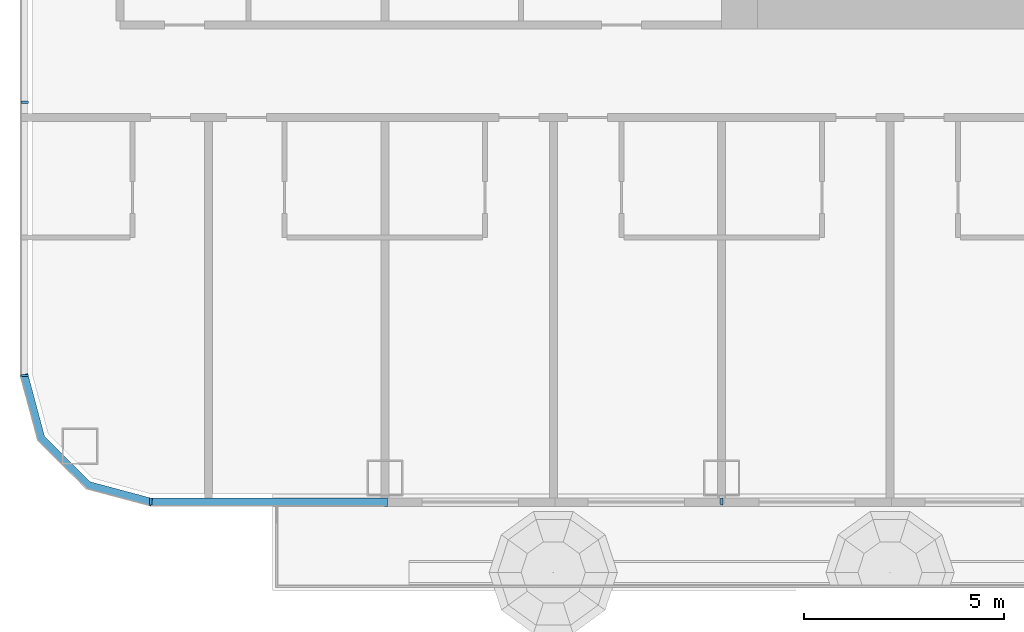
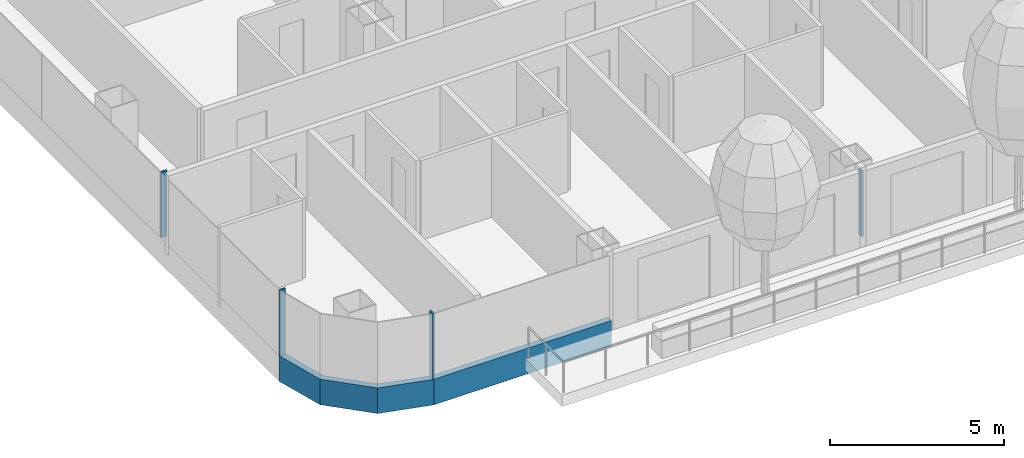
# One storey, part 2 of 37: 6 members, 3 elements without a shape of their own.
"""IFC4 building model written with IfcOpenShell, lengths in metres."""

from ifc_helpers import new_model, si_unit, direction, frame, origin, origin_2d, place, context, subcontext, project, spatial, polyline, rectangle, outline, extrude, material, layer, layer_set, material_profile, profile_set, type_object, element, aggregate, save


model = new_model("IFC4")

# Units and contexts
model_context = context("Model", 3, precision=1e-05, world=origin(), true_north=direction((0.0, 1.0)))
body_context = subcontext(model_context, "Body", "Model", "MODEL_VIEW")
ifc_project = project(units=[si_unit("LENGTHUNIT", "METRE"), si_unit("AREAUNIT", "SQUARE_METRE"), si_unit("VOLUMEUNIT", "CUBIC_METRE"), si_unit("PLANEANGLEUNIT", "RADIAN"), si_unit("MASSUNIT", "GRAM", prefix="KILO")], contexts=[model_context])

# Site, building, storey
site_placement = place(None, origin())
site = spatial("IfcSite", under=ifc_project, at=site_placement, CompositionType="ELEMENT")
building_placement = place(site_placement, origin())
building = spatial("IfcBuilding", under=site, at=building_placement, Name="Hakoniwa Tower and Hamabe Station Hall", CompositionType="ELEMENT")
storey_placement = place(building_placement, frame((0.0, 0.0, 39.0)))
storey = spatial("IfcBuildingStorey", under=building, at=storey_placement, Name="L10", CompositionType="ELEMENT", Elevation=39.0)

# Curtain wall, member
ifc_material_1 = material(Name="Dark low-e laminated glass", Category="glass")
ifc_layer = layer(ifc_material_1, 0.199951171875)
ifc_layer_set = layer_set([ifc_layer], Name="CW-1 UNITISED GUEST")
curtain_wall_type = type_object("IfcCurtainWallType", Name="CW-1 UNITISED GUEST", PredefinedType="NOTDEFINED", material=ifc_layer_set)
curtain_wall_1_placement = place(storey_placement, origin())
curtain_wall_1 = element("IfcCurtainWall", 1, at=curtain_wall_1_placement, inside=storey, type_object=curtain_wall_type, Name="CW-1 curtain wall", PredefinedType="NOTDEFINED")
ifc_material_2 = material(Name="Aluminium 6063-T5 black anodised", Category="aluminium")
ifc_material_profile_1 = material_profile(ifc_material_2, rectangle(XDim=0.199951171875, YDim=0.89990234375, at=origin_2d()), Name="CW SLAB-EDGE BAND 900X200")
ifc_profile_set_1 = profile_set([ifc_material_profile_1], Name="Aluminium 6063-T5 black anodised")
member_type_1 = type_object("IfcMemberType", Name="CW SLAB-EDGE BAND 900X200", PredefinedType="USERDEFINED", material=ifc_profile_set_1)
member_1_placement = place(storey_placement, frame((0.0, 0.0, -0.550048828125)))
member_1 = element("IfcMember", 2, at=member_1_placement, type_object=member_type_1, Name="CW-1 transom", ObjectType="TRANSOM", PredefinedType="USERDEFINED", context=body_context, shape_type="SweptSolid", body=[
    extrude(outline(polyline([(-51.10009765625, -17.03955078125), (-50.6669921875, -18.6552734375), (-49.455322265625, -19.866943359375), (-47.839599609375, -20.300048828125), (-47.787841796875, -20.10693359375), (-49.351806640625, -19.687744140625), (-50.48779296875, -18.5517578125), (-50.90673828125, -16.98779296875), (-51.10009765625, -17.03955078125)])), origin(), (0.0, 0.0, 1.0), 0.900146484375),
])
aggregate(curtain_wall_1, [member_1])

curtain_wall_2_placement = place(storey_placement, origin())
curtain_wall_2 = element("IfcCurtainWall", 3, at=curtain_wall_2_placement, inside=storey, type_object=curtain_wall_type, Name="CW-1 curtain wall", PredefinedType="NOTDEFINED")
member_2_placement = place(storey_placement, frame((-47.839599609375, -20.199951171875, -0.10009765625), z_axis=(1.0, 0.0, 0.0), x_axis=(0.0, 1.0, 0.0)))
member_2 = element("IfcMember", 4, at=member_2_placement, type_object=member_type_1, Name="CW-1 transom", ObjectType="TRANSOM", PredefinedType="USERDEFINED", context=body_context, shape_type="SweptSolid", body=[
    extrude(rectangle(XDim=0.199951171875, YDim=0.89990234375, at=origin_2d()), origin(), (0.0, 0.0, 1.0), 5.899658203125),
])

# Curtain wall, members
curtain_wall_3_placement = place(storey_placement, origin())
curtain_wall_3 = element("IfcCurtainWall", 5, at=curtain_wall_3_placement, inside=storey, type_object=curtain_wall_type, Name="CW-1 curtain wall", PredefinedType="NOTDEFINED")
ifc_material_3 = material(Name="Aluminium 6063-T5 black anodised", Category="aluminium")
ifc_material_profile_2 = material_profile(ifc_material_3, rectangle(XDim=0.06005859375, YDim=0.179931640625, at=origin_2d()), Name="CW-1 MULLION 60X180")
ifc_profile_set_2 = profile_set([ifc_material_profile_2], Name="Aluminium 6063-T5 black anodised")
member_type_2 = type_object("IfcMemberType", Name="CW-1 MULLION 60X180", PredefinedType="MULLION", material=ifc_profile_set_2)
member_3_placement = place(storey_placement, frame((-50.98193359375, -10.2236328125, 0.35009765625), z_axis=(0.0, 0.0, 1.0), x_axis=(0.0, -1.0, 0.0)))
member_3 = element("IfcMember", 6, at=member_3_placement, type_object=member_type_2, Name="CW-1 mullion", PredefinedType="MULLION", context=body_context, shape_type="SweptSolid", body=[
    extrude(rectangle(XDim=0.06005859375, YDim=0.179931640625, at=origin_2d()), origin(), (0.0, 0.0, 1.0), 2.2998046875),
])
member_4_placement = place(storey_placement, frame((-50.98193359375, -17.03955078125, 0.35009765625), z_axis=(0.0, 0.0, 1.0), x_axis=(0.0, -1.0, 0.0)))
member_4 = element("IfcMember", 7, at=member_4_placement, type_object=member_type_2, Name="CW-1 mullion", PredefinedType="MULLION", context=body_context, shape_type="SweptSolid", body=[
    extrude(rectangle(XDim=0.06005859375, YDim=0.179931640625, at=origin_2d()), origin(), (0.0, 0.0, 1.0), 2.2998046875),
])
aggregate(curtain_wall_3, [member_3, member_4])

# Member
member_5_placement = place(storey_placement, frame((-47.839599609375, -20.181884765625, 0.35009765625), z_axis=(0.0, 0.0, 1.0), x_axis=(1.0, 0.0, 0.0)))
member_5 = element("IfcMember", 8, at=member_5_placement, type_object=member_type_2, Name="CW-1 mullion", PredefinedType="MULLION", context=body_context, shape_type="SweptSolid", body=[
    extrude(rectangle(XDim=0.06005859375, YDim=0.179931640625, at=origin_2d()), origin(), (0.0, 0.0, 1.0), 2.2998046875),
])

member_6_placement = place(storey_placement, frame((-33.60009765625, -20.181884765625, 0.35009765625), z_axis=(0.0, 0.0, 1.0), x_axis=(1.0, 0.0, 0.0)))
member_6 = element("IfcMember", 9, at=member_6_placement, type_object=member_type_2, Name="CW-1 mullion", PredefinedType="MULLION", context=body_context, shape_type="SweptSolid", body=[
    extrude(rectangle(XDim=0.06005859375, YDim=0.179931640625, at=origin_2d()), origin(), (0.0, 0.0, 1.0), 2.2998046875),
])

aggregate(curtain_wall_2, [member_5, member_6, member_2])

save(model, "model.ifc")
